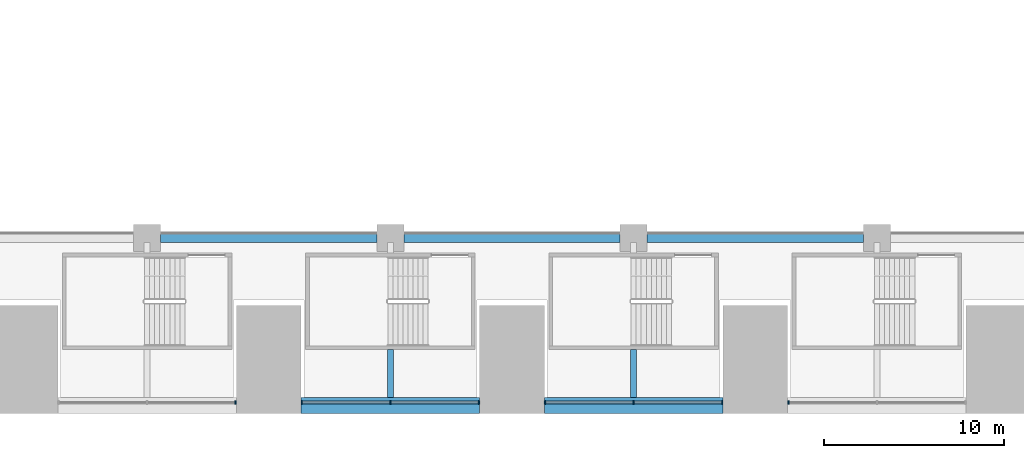
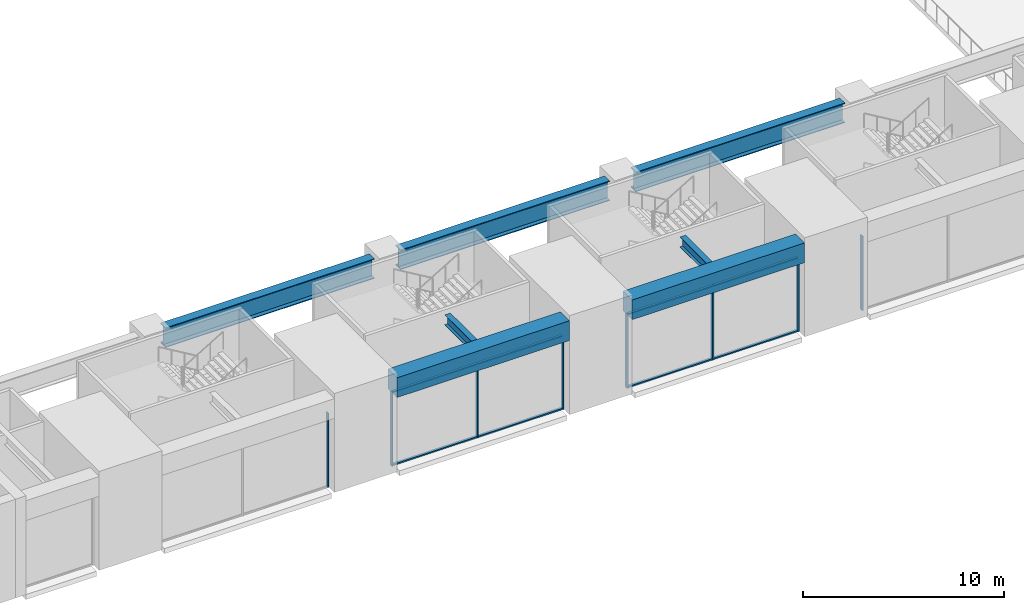
# One storey, part 4 of 43: 16 members, 7 beams, 4 elements without a shape of their own.
"""IFC4 building model written with IfcOpenShell, lengths in metres."""

import ifcopenshell
import ifcopenshell.guid

model = None  # the IFC model being written
_history = None  # IfcOwnerHistory: only IFC2X3 demands one
_inside = {}  # id of a spatial element -> (the spatial element, [elements in it])
_under = {}  # id of a project, library or spatial element -> (it, [spatial elements below it])
_declared = {}  # id of a project -> (the project, [libraries it declares])
_typed = {}  # id of a type object -> (the type object, [elements of that type])
_made_of = {}  # id of a material, layer set ... -> (it, [elements and type objects made of it])


def new_model(schema):
    """Start an empty IFC model of exactly this schema.

    Asked for "IFC4X3", IfcOpenShell would pick the latest addendum, in which some entities
    have other attributes; the version numbers below select the first issue.
    IFC2X3 requires an IfcOwnerHistory on every rooted entity: one is made here for all.
    """
    global model, _history
    if schema == "IFC4X3":
        model = ifcopenshell.file(schema_version=(4, 3, 0, 0))
    else:
        model = ifcopenshell.file(schema=schema)
    _inside.clear()
    _under.clear()
    _declared.clear()
    _typed.clear()
    _made_of.clear()
    _history = None
    if model.schema == "IFC2X3":
        org = make("IfcOrganization", Name="unknown")
        user = make(
            "IfcPersonAndOrganization",
            ThePerson=make("IfcPerson", FamilyName="unknown"),
            TheOrganization=org,
        )
        app = make(
            "IfcApplication",
            ApplicationDeveloper=org,
            Version="unknown",
            ApplicationFullName="unknown",
            ApplicationIdentifier="unknown",
        )
        _history = make(
            "IfcOwnerHistory",
            OwningUser=user,
            OwningApplication=app,
            ChangeAction="ADDED",
            CreationDate=0,
        )
    return model


def make(cls, **values):
    """One entity of the class cls with the attributes given. An attribute that is None is left unset."""
    return model.create_entity(
        cls, **{name: value for name, value in values.items() if value is not None}
    )


def rooted(cls, **values):
    """An entity with a GlobalId (a new one), such as an element, a storey or a relation."""
    return make(cls, GlobalId=ifcopenshell.guid.new(), OwnerHistory=_history, **values)


def si_unit(unit_type, name, prefix=None):
    """IfcSIUnit, for example si_unit("LENGTHUNIT", "METRE", prefix="MILLI")."""
    return make("IfcSIUnit", UnitType=unit_type, Prefix=prefix, Name=name)


def assignment(units):
    """IfcUnitAssignment: the units of a project."""
    return None if units is None else make("IfcUnitAssignment", Units=units)


def point(xyz):
    """IfcCartesianPoint."""
    return None if xyz is None else make("IfcCartesianPoint", Coordinates=xyz)


def direction(xyz):
    """IfcDirection."""
    return None if xyz is None else make("IfcDirection", DirectionRatios=xyz)


def frame(location, z_axis=None, x_axis=None):
    """IfcAxis2Placement3D, a coordinate frame: its origin and axes. An axis left out is left unset."""
    return make(
        "IfcAxis2Placement3D",
        Location=point(location),
        Axis=direction(z_axis),
        RefDirection=direction(x_axis),
    )


def frame_2d(location, x_axis=None):
    """IfcAxis2Placement2D, a coordinate frame in the plane: its origin and x axis."""
    return make(
        "IfcAxis2Placement2D", Location=point(location), RefDirection=direction(x_axis)
    )


def origin():
    """The frame at (0, 0, 0) with its axes left unset."""
    return frame((0.0, 0.0, 0.0))


def origin_2d():
    """The frame at (0, 0) in the plane with its x axis left unset."""
    return frame_2d((0.0, 0.0))


def place(relative_to, where):
    """IfcLocalPlacement: puts the frame where relative to a parent placement (None: the world)."""
    return make(
        "IfcLocalPlacement", PlacementRelTo=relative_to, RelativePlacement=where
    )


def context(
    kind, dimensions, precision=None, world=None, true_north=None, identifier=None
):
    """IfcGeometricRepresentationContext, for example the 3D "Model" context."""
    return make(
        "IfcGeometricRepresentationContext",
        ContextIdentifier=identifier,
        ContextType=kind,
        CoordinateSpaceDimension=dimensions,
        Precision=precision,
        WorldCoordinateSystem=world,
        TrueNorth=true_north,
    )


def subcontext(parent, identifier, kind, view, scale=None):
    """IfcGeometricRepresentationSubContext, for example "Body" below "Model"."""
    return make(
        "IfcGeometricRepresentationSubContext",
        ContextIdentifier=identifier,
        ContextType=kind,
        ParentContext=parent,
        TargetScale=scale,
        TargetView=view,
    )


def project(units=None, contexts=None):
    """IfcProject with its units and contexts."""
    return rooted(
        "IfcProject",
        Name="project",
        RepresentationContexts=contexts,
        UnitsInContext=assignment(units),
    )


def spatial(cls, under=None, at=None, **own):
    """A site, building, storey or space (cls), placed at a placement, below another one or the project."""
    s = rooted(cls, ObjectPlacement=at, **own)
    if under is not None:
        _under.setdefault(under.id(), (under, []))[1].append(s)
    return s


def profile(cls, at=None, kind="AREA", **sizes):
    """A parametric profile (cls). Its sizes go by their IFC names, for example OverallWidth=200.0."""
    return make(cls, ProfileType=kind, Position=at, **sizes)


def rectangle(**sizes):
    """IfcRectangleProfileDef."""
    return profile("IfcRectangleProfileDef", **sizes)


def i_section(**sizes):
    """IfcIShapeProfileDef."""
    return profile("IfcIShapeProfileDef", **sizes)


def extrude(swept, where, along, depth):
    """IfcExtrudedAreaSolid: the profile swept, set in the frame where, extruded along a direction by depth."""
    return make(
        "IfcExtrudedAreaSolid",
        SweptArea=swept,
        Position=where,
        ExtrudedDirection=direction(along),
        Depth=depth,
    )


def shape(context_of_items, identifier, shape_type, items):
    """IfcShapeRepresentation: the items that make up one representation, for example the "Body"."""
    return make(
        "IfcShapeRepresentation",
        ContextOfItems=context_of_items,
        RepresentationIdentifier=identifier,
        RepresentationType=shape_type,
        Items=items,
    )


def material(Name=None, Category=None):
    """IfcMaterial."""
    return make("IfcMaterial", Name=Name, Category=Category)


def layer(
    of_material, thickness, ventilated=None, Name=None, Category=None, Priority=None
):
    """IfcMaterialLayer: one layer of a wall or slab, of a material (None: an air gap)."""
    return make(
        "IfcMaterialLayer",
        Material=of_material,
        LayerThickness=thickness,
        IsVentilated=ventilated,
        Name=Name,
        Category=Category,
        Priority=Priority,
    )


def layer_set(layers, Name=None):
    """IfcMaterialLayerSet."""
    return make("IfcMaterialLayerSet", MaterialLayers=layers, LayerSetName=Name)


def material_profile(
    of_material, cross_section, Name=None, Category=None, Priority=None
):
    """IfcMaterialProfile: a cross section and its material."""
    return make(
        "IfcMaterialProfile",
        Name=Name,
        Material=of_material,
        Profile=cross_section,
        Priority=Priority,
        Category=Category,
    )


def profile_set(profiles, Name=None, composite=None):
    """IfcMaterialProfileSet."""
    return make(
        "IfcMaterialProfileSet",
        Name=Name,
        MaterialProfiles=profiles,
        CompositeProfile=composite,
    )


def made_of(thing, what):
    """Note that an element or type object is made of a material, layer set ...; save() writes the relation."""
    if what is not None:
        _made_of.setdefault(what.id(), (what, []))[1].append(thing)
    return thing


def type_object(cls, material=None, **own):
    """A type object (cls), such as IfcWallType, which elements share."""
    return made_of(rooted(cls, **own), material)


def element(
    cls,
    number,
    at=None,
    inside=None,
    cuts=None,
    type_object=None,
    material=None,
    context=None,
    identifier="Body",
    shape_type=None,
    held_by="IfcProductDefinitionShape",
    body=None,
    shapes=None,
    **own,
):
    """One element of the class cls, such as IfcWall. Its Tag is "e" and its number.

    at: its placement. inside: the storey or other place that contains it. cuts: it is an
    opening in that element (IfcRelVoidsElement). A single representation is given by context,
    identifier, shape_type and body (its items); several are given by shapes. held_by: the class
    of the entity that holds the representations. save() writes the other relations.
    """
    e = rooted(cls, Tag="e%d" % number, ObjectPlacement=at, **own)
    if body is not None:
        shapes = [shape(context, identifier, shape_type, body)]
    if shapes is not None:
        e.Representation = make(held_by, Representations=shapes)
    if inside is not None:
        _inside.setdefault(inside.id(), (inside, []))[1].append(e)
    if cuts is not None:
        rooted(
            "IfcRelVoidsElement", RelatingBuildingElement=cuts, RelatedOpeningElement=e
        )
    if type_object is not None:
        _typed.setdefault(type_object.id(), (type_object, []))[1].append(e)
    return made_of(e, material)


def aggregate(whole, parts):
    """IfcRelAggregates: a whole, such as a stair, and the parts it consists of."""
    return rooted("IfcRelAggregates", RelatingObject=whole, RelatedObjects=parts)


def save(model, path):
    """Write the relations noted so far, then the file.

    IfcRelAggregates (storeys below a building ...), IfcRelContainedInSpatialStructure (elements
    in a storey), IfcRelDefinesByType, IfcRelAssociatesMaterial and IfcRelDeclares: one each for
    every whole, place, type object, material and project.
    """
    for whole, parts in _under.values():
        aggregate(whole, parts)
    for where, things in _inside.values():
        rooted(
            "IfcRelContainedInSpatialStructure",
            RelatedElements=things,
            RelatingStructure=where,
        )
    for kind, things in _typed.values():
        rooted("IfcRelDefinesByType", RelatedObjects=things, RelatingType=kind)
    for what, things in _made_of.values():
        rooted("IfcRelAssociatesMaterial", RelatedObjects=things, RelatingMaterial=what)
    for by, libraries in _declared.values():
        rooted("IfcRelDeclares", RelatingContext=by, RelatedDefinitions=libraries)
    model.write(path)


model = new_model("IFC4")

# Units and contexts
model_context = context("Model", 3, precision=1e-05, world=origin(), true_north=direction((0.0, 1.0)))
body_context = subcontext(model_context, "Body", "Model", "MODEL_VIEW")
ifc_project = project(units=[si_unit("LENGTHUNIT", "METRE"), si_unit("AREAUNIT", "SQUARE_METRE"), si_unit("VOLUMEUNIT", "CUBIC_METRE"), si_unit("PLANEANGLEUNIT", "RADIAN"), si_unit("MASSUNIT", "GRAM", prefix="KILO")], contexts=[model_context])

# Site, building, storey
site_placement = place(None, origin())
site = spatial("IfcSite", under=ifc_project, at=site_placement, CompositionType="ELEMENT")
building_placement = place(site_placement, origin())
building = spatial("IfcBuilding", under=site, at=building_placement, Name="Corbelhall Arena Tower", CompositionType="ELEMENT")
storey_placement = place(building_placement, frame((0.0, 0.0, 25.0)))
storey = spatial("IfcBuildingStorey", under=building, at=storey_placement, Name="L03", CompositionType="ELEMENT", Elevation=25.0)

# Curtain wall, member
ifc_material_1 = material(Name="Aluminium black anodised", Category="aluminium")
ifc_layer = layer(ifc_material_1, 0.239990234375)
ifc_layer_set = layer_set([ifc_layer], Name="EV-CW4 Arena concourse glazing")
curtain_wall_type = type_object("IfcCurtainWallType", Name="EV-CW4 Arena concourse glazing", PredefinedType="NOTDEFINED", material=ifc_layer_set)
curtain_wall_1_placement = place(storey_placement, origin())
curtain_wall_1 = element("IfcCurtainWall", 1, at=curtain_wall_1_placement, inside=storey, type_object=curtain_wall_type, Name="Curtain wall CW4", PredefinedType="NOTDEFINED")
ifc_material_profile_1 = material_profile(ifc_material_1, rectangle(XDim=0.199951171875, YDim=0.074951171875, at=origin_2d()))
ifc_profile_set_1 = profile_set([ifc_material_profile_1], Name="Aluminium black anodised")
member_type_1 = type_object("IfcMemberType", Name="EV-CW4-MULLION", PredefinedType="MULLION", material=ifc_profile_set_1)
member_1_placement = place(storey_placement, frame((-15.33740234375, -38.3798828125, 0.0), z_axis=(0.0, 0.0, 1.0), x_axis=(0.0, 1.0, 0.0)))
member_1 = element("IfcMember", 2, at=member_1_placement, type_object=member_type_1, Name="CW4 mullion 3", PredefinedType="MULLION", context=body_context, shape_type="SweptSolid", body=[
    extrude(rectangle(XDim=0.199951171875, YDim=0.074951171875, at=origin_2d()), origin(), (0.0, 0.0, 1.0), 4.5),
])
aggregate(curtain_wall_1, [member_1])

# Curtain wall, members
curtain_wall_2_placement = place(storey_placement, origin())
curtain_wall_2 = element("IfcCurtainWall", 3, at=curtain_wall_2_placement, inside=storey, type_object=curtain_wall_type, Name="Curtain wall CW4", PredefinedType="NOTDEFINED")
member_2_placement = place(storey_placement, frame((-11.66259765625, -38.3798828125, 0.0), z_axis=(0.0, 0.0, 1.0), x_axis=(0.0, 1.0, 0.0)))
member_2 = element("IfcMember", 4, at=member_2_placement, type_object=member_type_1, Name="CW4 mullion 1", PredefinedType="MULLION", context=body_context, shape_type="SweptSolid", body=[
    extrude(rectangle(XDim=0.199951171875, YDim=0.074951171875, at=origin_2d()), origin(), (0.0, 0.0, 1.0), 4.5),
])
member_3_placement = place(storey_placement, frame((-6.75, -38.3798828125, 0.0), z_axis=(0.0, 0.0, 1.0), x_axis=(0.0, 1.0, 0.0)))
member_3 = element("IfcMember", 5, at=member_3_placement, type_object=member_type_1, Name="CW4 mullion 2", PredefinedType="MULLION", context=body_context, shape_type="SweptSolid", body=[
    extrude(rectangle(XDim=0.199951171875, YDim=0.074951171875, at=origin_2d()), origin(), (0.0, 0.0, 1.0), 4.5),
])
member_4_placement = place(storey_placement, frame((-1.83740234375, -38.3798828125, 0.0), z_axis=(0.0, 0.0, 1.0), x_axis=(0.0, 1.0, 0.0)))
member_4 = element("IfcMember", 6, at=member_4_placement, type_object=member_type_1, Name="CW4 mullion 3", PredefinedType="MULLION", context=body_context, shape_type="SweptSolid", body=[
    extrude(rectangle(XDim=0.199951171875, YDim=0.074951171875, at=origin_2d()), origin(), (0.0, 0.0, 1.0), 4.5),
])

curtain_wall_3_placement = place(storey_placement, origin())
curtain_wall_3 = element("IfcCurtainWall", 7, at=curtain_wall_3_placement, inside=storey, type_object=curtain_wall_type, Name="Curtain wall CW4", PredefinedType="NOTDEFINED")
member_5_placement = place(storey_placement, frame((1.83740234375, -38.3798828125, 0.0), z_axis=(0.0, 0.0, 1.0), x_axis=(0.0, 1.0, 0.0)))
member_5 = element("IfcMember", 8, at=member_5_placement, type_object=member_type_1, Name="CW4 mullion 1", PredefinedType="MULLION", context=body_context, shape_type="SweptSolid", body=[
    extrude(rectangle(XDim=0.199951171875, YDim=0.074951171875, at=origin_2d()), origin(), (0.0, 0.0, 1.0), 4.5),
])
member_6_placement = place(storey_placement, frame((6.75, -38.3798828125, 0.0), z_axis=(0.0, 0.0, 1.0), x_axis=(0.0, 1.0, 0.0)))
member_6 = element("IfcMember", 9, at=member_6_placement, type_object=member_type_1, Name="CW4 mullion 2", PredefinedType="MULLION", context=body_context, shape_type="SweptSolid", body=[
    extrude(rectangle(XDim=0.199951171875, YDim=0.074951171875, at=origin_2d()), origin(), (0.0, 0.0, 1.0), 4.5),
])
member_7_placement = place(storey_placement, frame((11.66259765625, -38.3798828125, 0.0), z_axis=(0.0, 0.0, 1.0), x_axis=(0.0, 1.0, 0.0)))
member_7 = element("IfcMember", 10, at=member_7_placement, type_object=member_type_1, Name="CW4 mullion 3", PredefinedType="MULLION", context=body_context, shape_type="SweptSolid", body=[
    extrude(rectangle(XDim=0.199951171875, YDim=0.074951171875, at=origin_2d()), origin(), (0.0, 0.0, 1.0), 4.5),
])

# Curtain wall, member
curtain_wall_4_placement = place(storey_placement, origin())
curtain_wall_4 = element("IfcCurtainWall", 11, at=curtain_wall_4_placement, inside=storey, type_object=curtain_wall_type, Name="Curtain wall CW4", PredefinedType="NOTDEFINED")
member_8_placement = place(storey_placement, frame((15.33740234375, -38.3798828125, 0.0), z_axis=(0.0, 0.0, 1.0), x_axis=(0.0, 1.0, 0.0)))
member_8 = element("IfcMember", 12, at=member_8_placement, type_object=member_type_1, Name="CW4 mullion 1", PredefinedType="MULLION", context=body_context, shape_type="SweptSolid", body=[
    extrude(rectangle(XDim=0.199951171875, YDim=0.074951171875, at=origin_2d()), origin(), (0.0, 0.0, 1.0), 4.5),
])
aggregate(curtain_wall_4, [member_8])

# Member
ifc_material_profile_2 = material_profile(ifc_material_1, rectangle(XDim=0.14990234375, YDim=0.074951171875, at=origin_2d()))
ifc_profile_set_2 = profile_set([ifc_material_profile_2], Name="Aluminium black anodised")
member_type_2 = type_object("IfcMemberType", Name="EV-CW4-TRANSOM", PredefinedType="USERDEFINED", material=ifc_profile_set_2)
member_9_placement = place(storey_placement, frame((-11.625, -38.3798828125, 0.03759765625), z_axis=(1.0, 0.0, 0.0), x_axis=(0.0, 1.0, 0.0)))
member_9 = element("IfcMember", 13, at=member_9_placement, type_object=member_type_2, Name="CW4 transom 1.1", ObjectType="transom", PredefinedType="USERDEFINED", context=body_context, shape_type="SweptSolid", body=[
    extrude(rectangle(XDim=0.14990234375, YDim=0.074951171875, at=origin_2d()), origin(), (0.0, 0.0, 1.0), 4.83740234375),
])

member_10_placement = place(storey_placement, frame((-11.625, -38.3798828125, 4.46240234375), z_axis=(1.0, 0.0, 0.0), x_axis=(0.0, 1.0, 0.0)))
member_10 = element("IfcMember", 14, at=member_10_placement, type_object=member_type_2, Name="CW4 transom 1.2", ObjectType="transom", PredefinedType="USERDEFINED", context=body_context, shape_type="SweptSolid", body=[
    extrude(rectangle(XDim=0.14990234375, YDim=0.074951171875, at=origin_2d()), origin(), (0.0, 0.0, 1.0), 4.83740234375),
])

member_11_placement = place(storey_placement, frame((-6.71240234375, -38.3798828125, 0.03759765625), z_axis=(1.0, 0.0, 0.0), x_axis=(0.0, 1.0, 0.0)))
member_11 = element("IfcMember", 15, at=member_11_placement, type_object=member_type_2, Name="CW4 transom 2.1", ObjectType="transom", PredefinedType="USERDEFINED", context=body_context, shape_type="SweptSolid", body=[
    extrude(rectangle(XDim=0.14990234375, YDim=0.074951171875, at=origin_2d()), origin(), (0.0, 0.0, 1.0), 4.83740234375),
])

member_12_placement = place(storey_placement, frame((-6.71240234375, -38.3798828125, 4.46240234375), z_axis=(1.0, 0.0, 0.0), x_axis=(0.0, 1.0, 0.0)))
member_12 = element("IfcMember", 16, at=member_12_placement, type_object=member_type_2, Name="CW4 transom 2.2", ObjectType="transom", PredefinedType="USERDEFINED", context=body_context, shape_type="SweptSolid", body=[
    extrude(rectangle(XDim=0.14990234375, YDim=0.074951171875, at=origin_2d()), origin(), (0.0, 0.0, 1.0), 4.83740234375),
])

aggregate(curtain_wall_2, [member_2, member_3, member_4, member_9, member_10, member_11, member_12])

member_13_placement = place(storey_placement, frame((1.875, -38.3798828125, 0.03759765625), z_axis=(1.0, 0.0, 0.0), x_axis=(0.0, 1.0, 0.0)))
member_13 = element("IfcMember", 17, at=member_13_placement, type_object=member_type_2, Name="CW4 transom 1.1", ObjectType="transom", PredefinedType="USERDEFINED", context=body_context, shape_type="SweptSolid", body=[
    extrude(rectangle(XDim=0.14990234375, YDim=0.074951171875, at=origin_2d()), origin(), (0.0, 0.0, 1.0), 4.83740234375),
])

member_14_placement = place(storey_placement, frame((1.875, -38.3798828125, 4.46240234375), z_axis=(1.0, 0.0, 0.0), x_axis=(0.0, 1.0, 0.0)))
member_14 = element("IfcMember", 18, at=member_14_placement, type_object=member_type_2, Name="CW4 transom 1.2", ObjectType="transom", PredefinedType="USERDEFINED", context=body_context, shape_type="SweptSolid", body=[
    extrude(rectangle(XDim=0.14990234375, YDim=0.074951171875, at=origin_2d()), origin(), (0.0, 0.0, 1.0), 4.83740234375),
])

member_15_placement = place(storey_placement, frame((6.78759765625, -38.3798828125, 0.03759765625), z_axis=(1.0, 0.0, 0.0), x_axis=(0.0, 1.0, 0.0)))
member_15 = element("IfcMember", 19, at=member_15_placement, type_object=member_type_2, Name="CW4 transom 2.1", ObjectType="transom", PredefinedType="USERDEFINED", context=body_context, shape_type="SweptSolid", body=[
    extrude(rectangle(XDim=0.14990234375, YDim=0.074951171875, at=origin_2d()), origin(), (0.0, 0.0, 1.0), 4.83740234375),
])

member_16_placement = place(storey_placement, frame((6.78759765625, -38.3798828125, 4.46240234375), z_axis=(1.0, 0.0, 0.0), x_axis=(0.0, 1.0, 0.0)))
member_16 = element("IfcMember", 20, at=member_16_placement, type_object=member_type_2, Name="CW4 transom 2.2", ObjectType="transom", PredefinedType="USERDEFINED", context=body_context, shape_type="SweptSolid", body=[
    extrude(rectangle(XDim=0.14990234375, YDim=0.074951171875, at=origin_2d()), origin(), (0.0, 0.0, 1.0), 4.83740234375),
])

aggregate(curtain_wall_3, [member_5, member_6, member_7, member_13, member_14, member_15, member_16])

# Beams
ifc_material_2 = material(Name="Steel ASTM A992 Gr50", Category="steel")
ifc_material_profile_3 = material_profile(ifc_material_2, i_section(OverallWidth=0.323974609375, OverallDepth=0.611083984375, WebThickness=0.0126953125, FlangeThickness=0.01904296875, at=origin_2d()))
ifc_profile_set_3 = profile_set([ifc_material_profile_3], Name="Steel ASTM A992 Gr50")
beam_type_1 = type_object("IfcBeamType", Name="PO-BEAM-W24X104", PredefinedType="BEAM", material=ifc_profile_set_3)
for number, where, z_axis, x_axis, name in (
    (21, (-6.75, -35.449951171875, 5.39453125), (0.0, -1.0, 0.0), (1.0, 0.0, 0.0), "CONCOURSE BEAM"),
    (22, (6.75, -35.449951171875, 5.39453125), (0.0, -1.0, 0.0), (1.0, 0.0, 0.0), "CONCOURSE BEAM"),
):
    element("IfcBeam", number, at=place(storey_placement, frame(where, z_axis=z_axis, x_axis=x_axis)), inside=storey, type_object=beam_type_1, Name=name, PredefinedType="BEAM", context=body_context, shape_type="SweptSolid", body=[
        extrude(i_section(OverallWidth=0.323974609375, OverallDepth=0.611083984375, WebThickness=0.0126953125, FlangeThickness=0.01904296875, at=origin_2d()), origin(), (0.0, 0.0, 1.0), 2.650146484375),
    ])
ifc_material_3 = material(Name="Steel ASTM A572 Gr50", Category="steel")
ifc_material_profile_4 = material_profile(ifc_material_3, i_section(OverallWidth=0.5, OverallDepth=1.199951171875, WebThickness=0.02490234375, FlangeThickness=0.044921875, at=origin_2d()))
ifc_profile_set_4 = profile_set([ifc_material_profile_4], Name="Steel ASTM A572 Gr50")
beam_type_2 = type_object("IfcBeamType", Name="PO-GIRDER-PG1200X500X25X45", PredefinedType="BEAM", material=ifc_profile_set_4)
for number, where, z_axis, x_axis, name in (
    (23, (-19.5, -29.25, 5.10009765625), (1.0, 0.0, 0.0), (0.0, 1.0, 0.0), "RING GIRDER"),
    (24, (-6.0, -29.25, 5.10009765625), (1.0, 0.0, 0.0), (0.0, 1.0, 0.0), "RING GIRDER"),
    (25, (7.5, -29.25, 5.10009765625), (1.0, 0.0, 0.0), (0.0, 1.0, 0.0), "RING GIRDER"),
):
    element("IfcBeam", number, at=place(storey_placement, frame(where, z_axis=z_axis, x_axis=x_axis)), inside=storey, type_object=beam_type_2, Name=name, PredefinedType="BEAM", context=body_context, shape_type="SweptSolid", body=[
        extrude(i_section(OverallWidth=0.5, OverallDepth=1.199951171875, WebThickness=0.02490234375, FlangeThickness=0.044921875, at=origin_2d()), origin(), (0.0, 0.0, 1.0), 12.0),
    ])
ifc_material_4 = material(Name="Concrete C80/95", Category="concrete")
ifc_material_profile_5 = material_profile(ifc_material_4, rectangle(XDim=0.89990234375, YDim=1.199951171875, at=origin_2d()))
ifc_profile_set_5 = profile_set([ifc_material_profile_5], Name="Concrete C80/95")
beam_type_3 = type_object("IfcBeamType", Name="PO-RING-BEAM", PredefinedType="BEAM", material=ifc_profile_set_5)
for number, where, z_axis, x_axis, name in (
    (26, (-11.699951171875, -38.550048828125, 5.10009765625), (1.0, 0.0, 0.0), (0.0, 1.0, 0.0), "RING GIRDER L04 S3"),
    (27, (1.800048828125, -38.550048828125, 5.10009765625), (1.0, 0.0, 0.0), (0.0, 1.0, 0.0), "RING GIRDER L04 S4"),
):
    element("IfcBeam", number, at=place(storey_placement, frame(where, z_axis=z_axis, x_axis=x_axis)), inside=storey, type_object=beam_type_3, Name=name, PredefinedType="BEAM", context=body_context, shape_type="SweptSolid", body=[
        extrude(rectangle(XDim=0.89990234375, YDim=1.199951171875, at=origin_2d()), origin(), (0.0, 0.0, 1.0), 9.89990234375),
    ])

save(model, "model.ifc")
